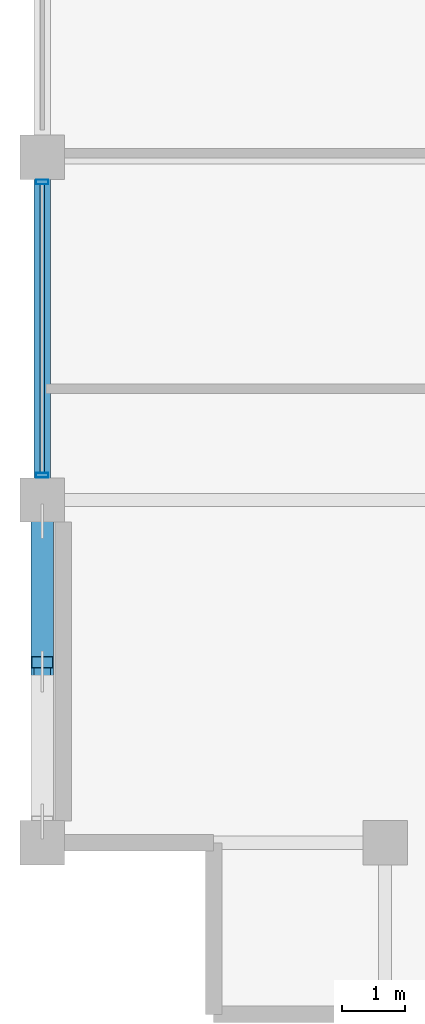
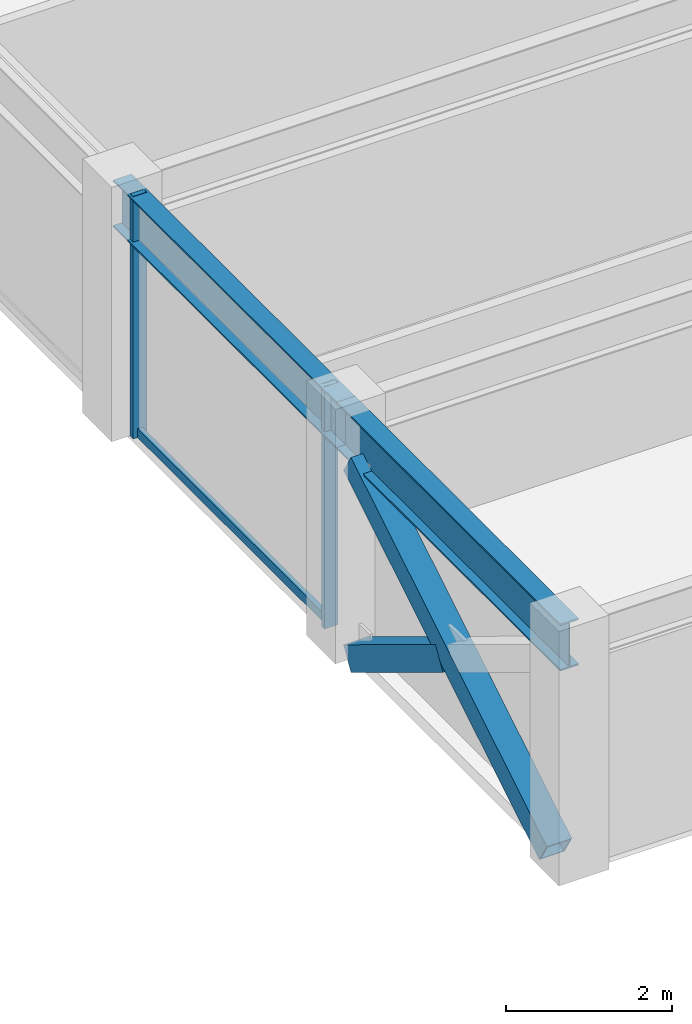
# One storey, part 4 of 31: 5 members, 2 beams, 1 element without a shape of its own.
"""IFC4 building model written with IfcOpenShell, lengths in metres."""

import ifcopenshell
import ifcopenshell.guid

model = None  # the IFC model being written
_history = None  # IfcOwnerHistory: only IFC2X3 demands one
_inside = {}  # id of a spatial element -> (the spatial element, [elements in it])
_under = {}  # id of a project, library or spatial element -> (it, [spatial elements below it])
_declared = {}  # id of a project -> (the project, [libraries it declares])
_typed = {}  # id of a type object -> (the type object, [elements of that type])
_made_of = {}  # id of a material, layer set ... -> (it, [elements and type objects made of it])


def new_model(schema):
    """Start an empty IFC model of exactly this schema.

    Asked for "IFC4X3", IfcOpenShell would pick the latest addendum, in which some entities
    have other attributes; the version numbers below select the first issue.
    IFC2X3 requires an IfcOwnerHistory on every rooted entity: one is made here for all.
    """
    global model, _history
    if schema == "IFC4X3":
        model = ifcopenshell.file(schema_version=(4, 3, 0, 0))
    else:
        model = ifcopenshell.file(schema=schema)
    _inside.clear()
    _under.clear()
    _declared.clear()
    _typed.clear()
    _made_of.clear()
    _history = None
    if model.schema == "IFC2X3":
        org = make("IfcOrganization", Name="unknown")
        user = make(
            "IfcPersonAndOrganization",
            ThePerson=make("IfcPerson", FamilyName="unknown"),
            TheOrganization=org,
        )
        app = make(
            "IfcApplication",
            ApplicationDeveloper=org,
            Version="unknown",
            ApplicationFullName="unknown",
            ApplicationIdentifier="unknown",
        )
        _history = make(
            "IfcOwnerHistory",
            OwningUser=user,
            OwningApplication=app,
            ChangeAction="ADDED",
            CreationDate=0,
        )
    return model


def make(cls, **values):
    """One entity of the class cls with the attributes given. An attribute that is None is left unset."""
    return model.create_entity(
        cls, **{name: value for name, value in values.items() if value is not None}
    )


def rooted(cls, **values):
    """An entity with a GlobalId (a new one), such as an element, a storey or a relation."""
    return make(cls, GlobalId=ifcopenshell.guid.new(), OwnerHistory=_history, **values)


def si_unit(unit_type, name, prefix=None):
    """IfcSIUnit, for example si_unit("LENGTHUNIT", "METRE", prefix="MILLI")."""
    return make("IfcSIUnit", UnitType=unit_type, Prefix=prefix, Name=name)


def assignment(units):
    """IfcUnitAssignment: the units of a project."""
    return None if units is None else make("IfcUnitAssignment", Units=units)


def point(xyz):
    """IfcCartesianPoint."""
    return None if xyz is None else make("IfcCartesianPoint", Coordinates=xyz)


def direction(xyz):
    """IfcDirection."""
    return None if xyz is None else make("IfcDirection", DirectionRatios=xyz)


def frame(location, z_axis=None, x_axis=None):
    """IfcAxis2Placement3D, a coordinate frame: its origin and axes. An axis left out is left unset."""
    return make(
        "IfcAxis2Placement3D",
        Location=point(location),
        Axis=direction(z_axis),
        RefDirection=direction(x_axis),
    )


def frame_2d(location, x_axis=None):
    """IfcAxis2Placement2D, a coordinate frame in the plane: its origin and x axis."""
    return make(
        "IfcAxis2Placement2D", Location=point(location), RefDirection=direction(x_axis)
    )


def origin():
    """The frame at (0, 0, 0) with its axes left unset."""
    return frame((0.0, 0.0, 0.0))


def origin_2d():
    """The frame at (0, 0) in the plane with its x axis left unset."""
    return frame_2d((0.0, 0.0))


def place(relative_to, where):
    """IfcLocalPlacement: puts the frame where relative to a parent placement (None: the world)."""
    return make(
        "IfcLocalPlacement", PlacementRelTo=relative_to, RelativePlacement=where
    )


def context(
    kind, dimensions, precision=None, world=None, true_north=None, identifier=None
):
    """IfcGeometricRepresentationContext, for example the 3D "Model" context."""
    return make(
        "IfcGeometricRepresentationContext",
        ContextIdentifier=identifier,
        ContextType=kind,
        CoordinateSpaceDimension=dimensions,
        Precision=precision,
        WorldCoordinateSystem=world,
        TrueNorth=true_north,
    )


def subcontext(parent, identifier, kind, view, scale=None):
    """IfcGeometricRepresentationSubContext, for example "Body" below "Model"."""
    return make(
        "IfcGeometricRepresentationSubContext",
        ContextIdentifier=identifier,
        ContextType=kind,
        ParentContext=parent,
        TargetScale=scale,
        TargetView=view,
    )


def project(units=None, contexts=None):
    """IfcProject with its units and contexts."""
    return rooted(
        "IfcProject",
        Name="project",
        RepresentationContexts=contexts,
        UnitsInContext=assignment(units),
    )


def spatial(cls, under=None, at=None, **own):
    """A site, building, storey or space (cls), placed at a placement, below another one or the project."""
    s = rooted(cls, ObjectPlacement=at, **own)
    if under is not None:
        _under.setdefault(under.id(), (under, []))[1].append(s)
    return s


def profile(cls, at=None, kind="AREA", **sizes):
    """A parametric profile (cls). Its sizes go by their IFC names, for example OverallWidth=200.0."""
    return make(cls, ProfileType=kind, Position=at, **sizes)


def hollow_rectangle(**sizes):
    """IfcRectangleHollowProfileDef."""
    return profile("IfcRectangleHollowProfileDef", **sizes)


def i_section(**sizes):
    """IfcIShapeProfileDef."""
    return profile("IfcIShapeProfileDef", **sizes)


def extrude(swept, where, along, depth):
    """IfcExtrudedAreaSolid: the profile swept, set in the frame where, extruded along a direction by depth."""
    return make(
        "IfcExtrudedAreaSolid",
        SweptArea=swept,
        Position=where,
        ExtrudedDirection=direction(along),
        Depth=depth,
    )


def shape(context_of_items, identifier, shape_type, items):
    """IfcShapeRepresentation: the items that make up one representation, for example the "Body"."""
    return make(
        "IfcShapeRepresentation",
        ContextOfItems=context_of_items,
        RepresentationIdentifier=identifier,
        RepresentationType=shape_type,
        Items=items,
    )


def material(Name=None, Category=None):
    """IfcMaterial."""
    return make("IfcMaterial", Name=Name, Category=Category)


def layer(
    of_material, thickness, ventilated=None, Name=None, Category=None, Priority=None
):
    """IfcMaterialLayer: one layer of a wall or slab, of a material (None: an air gap)."""
    return make(
        "IfcMaterialLayer",
        Material=of_material,
        LayerThickness=thickness,
        IsVentilated=ventilated,
        Name=Name,
        Category=Category,
        Priority=Priority,
    )


def layer_set(layers, Name=None):
    """IfcMaterialLayerSet."""
    return make("IfcMaterialLayerSet", MaterialLayers=layers, LayerSetName=Name)


def material_profile(
    of_material, cross_section, Name=None, Category=None, Priority=None
):
    """IfcMaterialProfile: a cross section and its material."""
    return make(
        "IfcMaterialProfile",
        Name=Name,
        Material=of_material,
        Profile=cross_section,
        Priority=Priority,
        Category=Category,
    )


def profile_set(profiles, Name=None, composite=None):
    """IfcMaterialProfileSet."""
    return make(
        "IfcMaterialProfileSet",
        Name=Name,
        MaterialProfiles=profiles,
        CompositeProfile=composite,
    )


def made_of(thing, what):
    """Note that an element or type object is made of a material, layer set ...; save() writes the relation."""
    if what is not None:
        _made_of.setdefault(what.id(), (what, []))[1].append(thing)
    return thing


def type_object(cls, material=None, **own):
    """A type object (cls), such as IfcWallType, which elements share."""
    return made_of(rooted(cls, **own), material)


def element(
    cls,
    number,
    at=None,
    inside=None,
    cuts=None,
    type_object=None,
    material=None,
    context=None,
    identifier="Body",
    shape_type=None,
    held_by="IfcProductDefinitionShape",
    body=None,
    shapes=None,
    **own,
):
    """One element of the class cls, such as IfcWall. Its Tag is "e" and its number.

    at: its placement. inside: the storey or other place that contains it. cuts: it is an
    opening in that element (IfcRelVoidsElement). A single representation is given by context,
    identifier, shape_type and body (its items); several are given by shapes. held_by: the class
    of the entity that holds the representations. save() writes the other relations.
    """
    e = rooted(cls, Tag="e%d" % number, ObjectPlacement=at, **own)
    if body is not None:
        shapes = [shape(context, identifier, shape_type, body)]
    if shapes is not None:
        e.Representation = make(held_by, Representations=shapes)
    if inside is not None:
        _inside.setdefault(inside.id(), (inside, []))[1].append(e)
    if cuts is not None:
        rooted(
            "IfcRelVoidsElement", RelatingBuildingElement=cuts, RelatedOpeningElement=e
        )
    if type_object is not None:
        _typed.setdefault(type_object.id(), (type_object, []))[1].append(e)
    return made_of(e, material)


def aggregate(whole, parts):
    """IfcRelAggregates: a whole, such as a stair, and the parts it consists of."""
    return rooted("IfcRelAggregates", RelatingObject=whole, RelatedObjects=parts)


def save(model, path):
    """Write the relations noted so far, then the file.

    IfcRelAggregates (storeys below a building ...), IfcRelContainedInSpatialStructure (elements
    in a storey), IfcRelDefinesByType, IfcRelAssociatesMaterial and IfcRelDeclares: one each for
    every whole, place, type object, material and project.
    """
    for whole, parts in _under.values():
        aggregate(whole, parts)
    for where, things in _inside.values():
        rooted(
            "IfcRelContainedInSpatialStructure",
            RelatedElements=things,
            RelatingStructure=where,
        )
    for kind, things in _typed.values():
        rooted("IfcRelDefinesByType", RelatedObjects=things, RelatingType=kind)
    for what, things in _made_of.values():
        rooted("IfcRelAssociatesMaterial", RelatedObjects=things, RelatingMaterial=what)
    for by, libraries in _declared.values():
        rooted("IfcRelDeclares", RelatingContext=by, RelatedDefinitions=libraries)
    model.write(path)


model = new_model("IFC4")

# Units and contexts
model_context = context("Model", 3, precision=1e-05, world=origin(), true_north=direction((0.0, 1.0)))
body_context = subcontext(model_context, "Body", "Model", "MODEL_VIEW")
ifc_project = project(units=[si_unit("LENGTHUNIT", "METRE"), si_unit("AREAUNIT", "SQUARE_METRE"), si_unit("VOLUMEUNIT", "CUBIC_METRE"), si_unit("PLANEANGLEUNIT", "RADIAN"), si_unit("MASSUNIT", "GRAM", prefix="KILO")], contexts=[model_context])

# Site, building, storey
site_placement = place(None, origin())
site = spatial("IfcSite", under=ifc_project, at=site_placement, CompositionType="ELEMENT")
building_placement = place(site_placement, origin())
building = spatial("IfcBuilding", under=site, at=building_placement, Name="Surkhivell Harbour Commons", CompositionType="ELEMENT")
storey_placement = place(building_placement, frame((0.0, 0.0, 330.0)))
storey = spatial("IfcBuildingStorey", under=building, at=storey_placement, Name="L86", CompositionType="ELEMENT", Elevation=330.0)

# Beams
ifc_material_1 = material(Name="Steel S355", Category="steel")
ifc_material_profile_1 = material_profile(ifc_material_1, i_section(OverallWidth=0.256103515625, OverallDepth=0.693115234375, WebThickness=0.014404296875, FlangeThickness=0.023681640625, at=origin_2d()), Name="UB686x254x170")
ifc_profile_set_1 = profile_set([ifc_material_profile_1], Name="Steel S355")
beam_type = type_object("IfcBeamType", Name="BM-SPN-686", PredefinedType="SPANDREL", material=ifc_profile_set_1)
beam_1_placement = place(storey_placement, frame((-27.0, -16.199951171875, 3.223388671875), z_axis=(0.0, 1.0, 0.0), x_axis=(-1.0, 0.0, 0.0)))
element("IfcBeam", 1, at=beam_1_placement, inside=storey, type_object=beam_type, Name="L86 Tube Spandrel (-27.0,-16.2)", PredefinedType="SPANDREL", context=body_context, shape_type="SweptSolid", body=[
    extrude(i_section(OverallWidth=0.256103515625, OverallDepth=0.693115234375, WebThickness=0.014404296875, FlangeThickness=0.023681640625, at=origin_2d()), origin(), (0.0, 0.0, 1.0), 5.39990234375),
])
beam_2_placement = place(storey_placement, frame((-27.0, -10.800048828125, 3.223388671875), z_axis=(0.0, 1.0, 0.0), x_axis=(-1.0, 0.0, 0.0)))
element("IfcBeam", 2, at=beam_2_placement, inside=storey, type_object=beam_type, Name="L86 Tube Spandrel (-27.0,-10.8)", PredefinedType="SPANDREL", context=body_context, shape_type="SweptSolid", body=[
    extrude(i_section(OverallWidth=0.256103515625, OverallDepth=0.693115234375, WebThickness=0.014404296875, FlangeThickness=0.023681640625, at=origin_2d()), origin(), (0.0, 0.0, 1.0), 5.400146484375),
])

# Curtain wall, members
ifc_material_2 = material(Name="Anodised pale-metal aluminium and insulated glazing", Category="aluminium")
ifc_layer = layer(ifc_material_2, 0.175048828125)
ifc_layer_set = layer_set([ifc_layer], Name="Anodised pale-metal aluminium and insulated glazing")
curtain_wall_type = type_object("IfcCurtainWallType", Name="CW-SYS-Z4", PredefinedType="NOTDEFINED", material=ifc_layer_set)
curtain_wall_placement = place(storey_placement, origin())
curtain_wall = element("IfcCurtainWall", 3, at=curtain_wall_placement, inside=storey, type_object=curtain_wall_type, Name="L86 Curtain Wall CW-L86-E12S1", PredefinedType="NOTDEFINED")
ifc_material_3 = material(Name="Anodised pale-metal aluminium alloy 6063-T6", Category="aluminium")
ifc_material_profile_2 = material_profile(ifc_material_3, hollow_rectangle(XDim=0.074951171875, YDim=0.18994140625, WallThickness=0.00390625, at=origin_2d()), Name="ALU-MULL-75x190")
ifc_profile_set_2 = profile_set([ifc_material_profile_2], Name="Anodised pale-metal aluminium alloy 6063-T6")
member_type_1 = type_object("IfcMemberType", Name="CWM-190", PredefinedType="MULLION", material=ifc_profile_set_2)
member_1_placement = place(storey_placement, frame((-27.0, -5.78955078125, 0.0), z_axis=(0.0, 0.0, 1.0), x_axis=(0.0, -1.0, 0.0)))
member_1 = element("IfcMember", 4, at=member_1_placement, type_object=member_type_1, Name="CW-Z4 mullion 6", PredefinedType="MULLION", context=body_context, shape_type="SweptSolid", body=[
    extrude(hollow_rectangle(XDim=0.074951171875, YDim=0.18994140625, WallThickness=0.00390625, at=origin_2d()), origin(), (0.0, 0.0, 1.0), 3.570068359375),
])
member_2_placement = place(storey_placement, frame((-27.0, -10.410400390625, 0.0), z_axis=(0.0, 0.0, 1.0), x_axis=(0.0, -1.0, 0.0)))
member_2 = element("IfcMember", 5, at=member_2_placement, type_object=member_type_1, Name="CW-Z4 mullion 7", PredefinedType="MULLION", context=body_context, shape_type="SweptSolid", body=[
    extrude(hollow_rectangle(XDim=0.074951171875, YDim=0.18994140625, WallThickness=0.00390625, at=origin_2d()), origin(), (0.0, 0.0, 1.0), 3.570068359375),
])
ifc_material_4 = material(Name="Champagne anodised aluminium alloy 6063-T6", Category="aluminium")
ifc_material_profile_3 = material_profile(ifc_material_4, hollow_rectangle(XDim=0.070068359375, YDim=0.1298828125, WallThickness=0.00341796875, at=origin_2d()), Name="ALU-TRAN-70x130")
ifc_profile_set_3 = profile_set([ifc_material_profile_3], Name="Champagne anodised aluminium alloy 6063-T6")
member_type_2 = type_object("IfcMemberType", Name="CWT-130", PredefinedType="USERDEFINED", material=ifc_profile_set_3)
member_3_placement = place(storey_placement, frame((-27.0, -5.826904296875, 0.06494140625), z_axis=(0.0, -1.0, 0.0), x_axis=(1.0, 0.0, 0.0)))
member_3 = element("IfcMember", 6, at=member_3_placement, type_object=member_type_2, Name="CW-Z4 transom 6.1", ObjectType="TRANSOM", PredefinedType="USERDEFINED", context=body_context, shape_type="SweptSolid", body=[
    extrude(hollow_rectangle(XDim=0.070068359375, YDim=0.1298828125, WallThickness=0.00341796875, at=origin_2d()), origin(), (0.0, 0.0, 1.0), 4.546142578125),
])
aggregate(curtain_wall, [member_1, member_2, member_3])

# Members
ifc_material_profile_4 = material_profile(ifc_material_1, hollow_rectangle(XDim=0.35009765625, YDim=0.35009765625, WallThickness=0.01611328125, at=origin_2d()), Name="SHS350x350x16")
ifc_profile_set_4 = profile_set([ifc_material_profile_4], Name="Steel S355")
member_type_3 = type_object("IfcMemberType", Name="MEM-BRC-SHS350", PredefinedType="BRACE", material=ifc_profile_set_4)
member_4_placement = place(storey_placement, frame((-27.0, -15.864990234375, 0.008056640625), z_axis=(0.0, 0.854685454322, 0.519146197299), x_axis=(-1.0, 0.0, 0.0)))
element("IfcMember", 7, at=member_4_placement, inside=storey, type_object=member_type_3, Name="L86 Perimeter Mega-Brace MB- 10", PredefinedType="BRACE", context=body_context, shape_type="SweptSolid", body=[
    extrude(hollow_rectangle(XDim=0.35009765625, YDim=0.35009765625, WallThickness=0.01611328125, at=origin_2d()), origin(), (0.0, 0.0, 1.0), 5.5341796875),
])
member_5_placement = place(storey_placement, frame((-27.0, -11.135009765625, 0.008056640625), z_axis=(0.0, -0.854678858595, 0.51915705588), x_axis=(1.0, 0.0, 0.0)))
element("IfcMember", 8, at=member_5_placement, inside=storey, type_object=member_type_3, Name="L86 Perimeter Mega-Brace MB- 11", PredefinedType="BRACE", context=body_context, shape_type="SweptSolid", body=[
    extrude(hollow_rectangle(XDim=0.35009765625, YDim=0.35009765625, WallThickness=0.01611328125, at=origin_2d()), origin(), (0.0, 0.0, 1.0), 2.59912109375),
])

save(model, "model.ifc")
